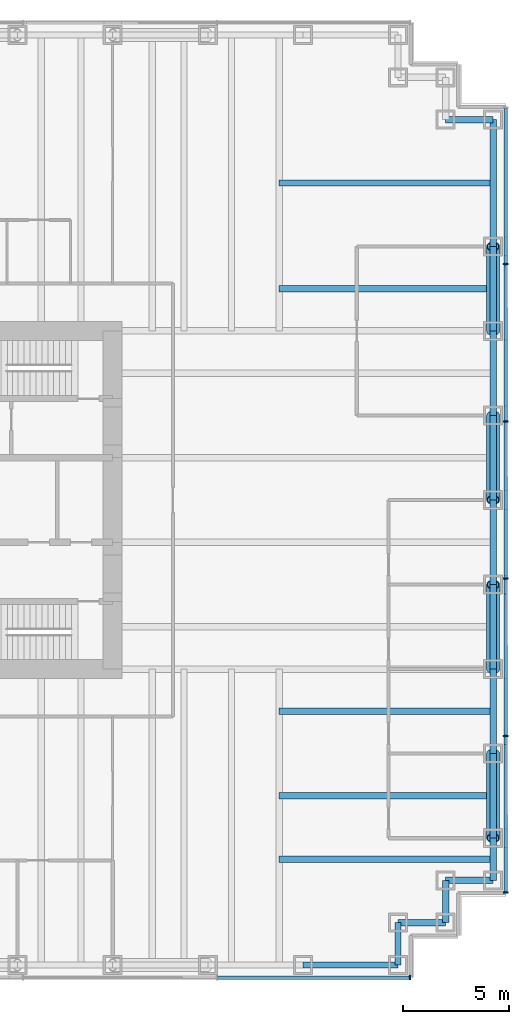
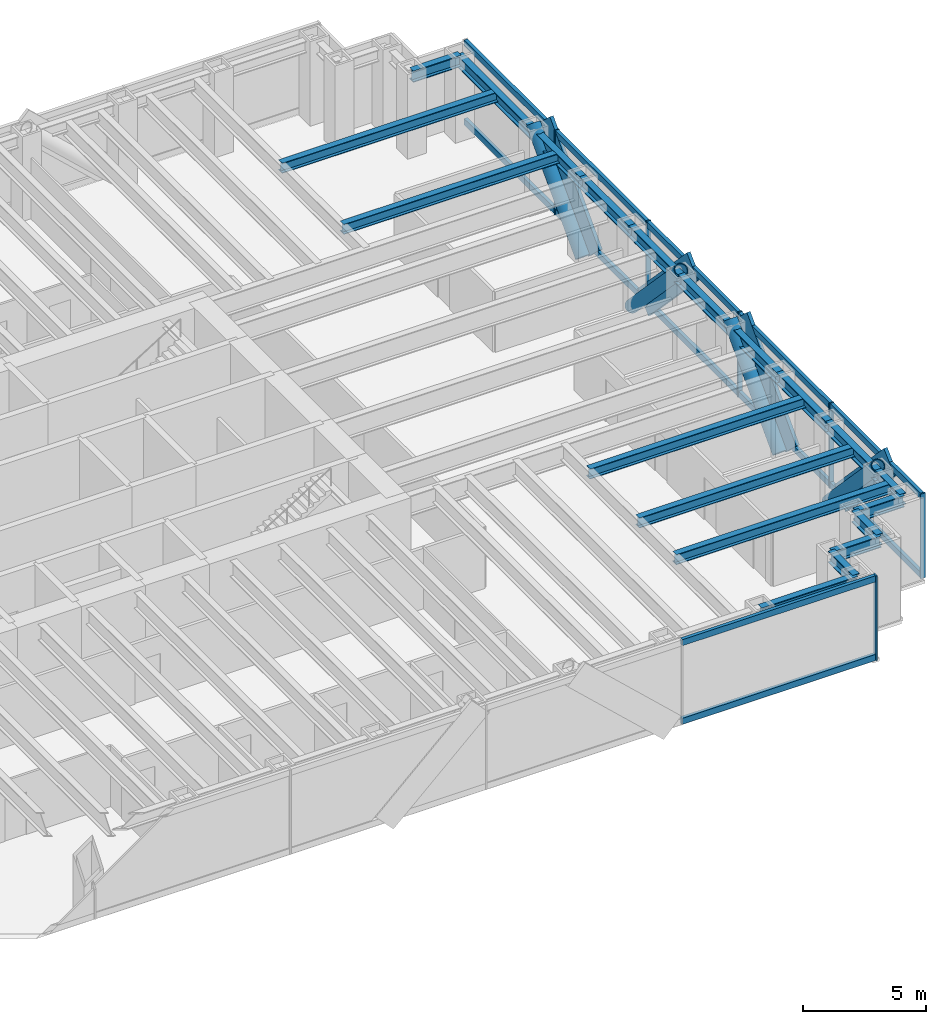
# One storey, part 8 of 15: 26 members, 20 beams, 2 elements without a shape of their own.
"""IFC4 building model written with IfcOpenShell, lengths in metres."""

import ifcopenshell
import ifcopenshell.guid

model = None  # the IFC model being written
_history = None  # IfcOwnerHistory: only IFC2X3 demands one
_inside = {}  # id of a spatial element -> (the spatial element, [elements in it])
_under = {}  # id of a project, library or spatial element -> (it, [spatial elements below it])
_declared = {}  # id of a project -> (the project, [libraries it declares])
_typed = {}  # id of a type object -> (the type object, [elements of that type])
_made_of = {}  # id of a material, layer set ... -> (it, [elements and type objects made of it])


def new_model(schema):
    """Start an empty IFC model of exactly this schema.

    Asked for "IFC4X3", IfcOpenShell would pick the latest addendum, in which some entities
    have other attributes; the version numbers below select the first issue.
    IFC2X3 requires an IfcOwnerHistory on every rooted entity: one is made here for all.
    """
    global model, _history
    if schema == "IFC4X3":
        model = ifcopenshell.file(schema_version=(4, 3, 0, 0))
    else:
        model = ifcopenshell.file(schema=schema)
    _inside.clear()
    _under.clear()
    _declared.clear()
    _typed.clear()
    _made_of.clear()
    _history = None
    if model.schema == "IFC2X3":
        org = make("IfcOrganization", Name="unknown")
        user = make(
            "IfcPersonAndOrganization",
            ThePerson=make("IfcPerson", FamilyName="unknown"),
            TheOrganization=org,
        )
        app = make(
            "IfcApplication",
            ApplicationDeveloper=org,
            Version="unknown",
            ApplicationFullName="unknown",
            ApplicationIdentifier="unknown",
        )
        _history = make(
            "IfcOwnerHistory",
            OwningUser=user,
            OwningApplication=app,
            ChangeAction="ADDED",
            CreationDate=0,
        )
    return model


def make(cls, **values):
    """One entity of the class cls with the attributes given. An attribute that is None is left unset."""
    return model.create_entity(
        cls, **{name: value for name, value in values.items() if value is not None}
    )


def rooted(cls, **values):
    """An entity with a GlobalId (a new one), such as an element, a storey or a relation."""
    return make(cls, GlobalId=ifcopenshell.guid.new(), OwnerHistory=_history, **values)


def si_unit(unit_type, name, prefix=None):
    """IfcSIUnit, for example si_unit("LENGTHUNIT", "METRE", prefix="MILLI")."""
    return make("IfcSIUnit", UnitType=unit_type, Prefix=prefix, Name=name)


def assignment(units):
    """IfcUnitAssignment: the units of a project."""
    return None if units is None else make("IfcUnitAssignment", Units=units)


def point(xyz):
    """IfcCartesianPoint."""
    return None if xyz is None else make("IfcCartesianPoint", Coordinates=xyz)


def direction(xyz):
    """IfcDirection."""
    return None if xyz is None else make("IfcDirection", DirectionRatios=xyz)


def frame(location, z_axis=None, x_axis=None):
    """IfcAxis2Placement3D, a coordinate frame: its origin and axes. An axis left out is left unset."""
    return make(
        "IfcAxis2Placement3D",
        Location=point(location),
        Axis=direction(z_axis),
        RefDirection=direction(x_axis),
    )


def frame_2d(location, x_axis=None):
    """IfcAxis2Placement2D, a coordinate frame in the plane: its origin and x axis."""
    return make(
        "IfcAxis2Placement2D", Location=point(location), RefDirection=direction(x_axis)
    )


def origin():
    """The frame at (0, 0, 0) with its axes left unset."""
    return frame((0.0, 0.0, 0.0))


def origin_2d():
    """The frame at (0, 0) in the plane with its x axis left unset."""
    return frame_2d((0.0, 0.0))


def place(relative_to, where):
    """IfcLocalPlacement: puts the frame where relative to a parent placement (None: the world)."""
    return make(
        "IfcLocalPlacement", PlacementRelTo=relative_to, RelativePlacement=where
    )


def context(
    kind, dimensions, precision=None, world=None, true_north=None, identifier=None
):
    """IfcGeometricRepresentationContext, for example the 3D "Model" context."""
    return make(
        "IfcGeometricRepresentationContext",
        ContextIdentifier=identifier,
        ContextType=kind,
        CoordinateSpaceDimension=dimensions,
        Precision=precision,
        WorldCoordinateSystem=world,
        TrueNorth=true_north,
    )


def subcontext(parent, identifier, kind, view, scale=None):
    """IfcGeometricRepresentationSubContext, for example "Body" below "Model"."""
    return make(
        "IfcGeometricRepresentationSubContext",
        ContextIdentifier=identifier,
        ContextType=kind,
        ParentContext=parent,
        TargetScale=scale,
        TargetView=view,
    )


def project(units=None, contexts=None):
    """IfcProject with its units and contexts."""
    return rooted(
        "IfcProject",
        Name="project",
        RepresentationContexts=contexts,
        UnitsInContext=assignment(units),
    )


def spatial(cls, under=None, at=None, **own):
    """A site, building, storey or space (cls), placed at a placement, below another one or the project."""
    s = rooted(cls, ObjectPlacement=at, **own)
    if under is not None:
        _under.setdefault(under.id(), (under, []))[1].append(s)
    return s


def profile(cls, at=None, kind="AREA", **sizes):
    """A parametric profile (cls). Its sizes go by their IFC names, for example OverallWidth=200.0."""
    return make(cls, ProfileType=kind, Position=at, **sizes)


def rectangle(**sizes):
    """IfcRectangleProfileDef."""
    return profile("IfcRectangleProfileDef", **sizes)


def hollow_circle(**sizes):
    """IfcCircleHollowProfileDef."""
    return profile("IfcCircleHollowProfileDef", **sizes)


def i_section(**sizes):
    """IfcIShapeProfileDef."""
    return profile("IfcIShapeProfileDef", **sizes)


def extrude(swept, where, along, depth):
    """IfcExtrudedAreaSolid: the profile swept, set in the frame where, extruded along a direction by depth."""
    return make(
        "IfcExtrudedAreaSolid",
        SweptArea=swept,
        Position=where,
        ExtrudedDirection=direction(along),
        Depth=depth,
    )


def shape(context_of_items, identifier, shape_type, items):
    """IfcShapeRepresentation: the items that make up one representation, for example the "Body"."""
    return make(
        "IfcShapeRepresentation",
        ContextOfItems=context_of_items,
        RepresentationIdentifier=identifier,
        RepresentationType=shape_type,
        Items=items,
    )


def material(Name=None, Category=None):
    """IfcMaterial."""
    return make("IfcMaterial", Name=Name, Category=Category)


def material_profile(
    of_material, cross_section, Name=None, Category=None, Priority=None
):
    """IfcMaterialProfile: a cross section and its material."""
    return make(
        "IfcMaterialProfile",
        Name=Name,
        Material=of_material,
        Profile=cross_section,
        Priority=Priority,
        Category=Category,
    )


def profile_set(profiles, Name=None, composite=None):
    """IfcMaterialProfileSet."""
    return make(
        "IfcMaterialProfileSet",
        Name=Name,
        MaterialProfiles=profiles,
        CompositeProfile=composite,
    )


def made_of(thing, what):
    """Note that an element or type object is made of a material, layer set ...; save() writes the relation."""
    if what is not None:
        _made_of.setdefault(what.id(), (what, []))[1].append(thing)
    return thing


def type_object(cls, material=None, **own):
    """A type object (cls), such as IfcWallType, which elements share."""
    return made_of(rooted(cls, **own), material)


def element(
    cls,
    number,
    at=None,
    inside=None,
    cuts=None,
    type_object=None,
    material=None,
    context=None,
    identifier="Body",
    shape_type=None,
    held_by="IfcProductDefinitionShape",
    body=None,
    shapes=None,
    **own,
):
    """One element of the class cls, such as IfcWall. Its Tag is "e" and its number.

    at: its placement. inside: the storey or other place that contains it. cuts: it is an
    opening in that element (IfcRelVoidsElement). A single representation is given by context,
    identifier, shape_type and body (its items); several are given by shapes. held_by: the class
    of the entity that holds the representations. save() writes the other relations.
    """
    e = rooted(cls, Tag="e%d" % number, ObjectPlacement=at, **own)
    if body is not None:
        shapes = [shape(context, identifier, shape_type, body)]
    if shapes is not None:
        e.Representation = make(held_by, Representations=shapes)
    if inside is not None:
        _inside.setdefault(inside.id(), (inside, []))[1].append(e)
    if cuts is not None:
        rooted(
            "IfcRelVoidsElement", RelatingBuildingElement=cuts, RelatedOpeningElement=e
        )
    if type_object is not None:
        _typed.setdefault(type_object.id(), (type_object, []))[1].append(e)
    return made_of(e, material)


def aggregate(whole, parts):
    """IfcRelAggregates: a whole, such as a stair, and the parts it consists of."""
    return rooted("IfcRelAggregates", RelatingObject=whole, RelatedObjects=parts)


def save(model, path):
    """Write the relations noted so far, then the file.

    IfcRelAggregates (storeys below a building ...), IfcRelContainedInSpatialStructure (elements
    in a storey), IfcRelDefinesByType, IfcRelAssociatesMaterial and IfcRelDeclares: one each for
    every whole, place, type object, material and project.
    """
    for whole, parts in _under.values():
        aggregate(whole, parts)
    for where, things in _inside.values():
        rooted(
            "IfcRelContainedInSpatialStructure",
            RelatedElements=things,
            RelatingStructure=where,
        )
    for kind, things in _typed.values():
        rooted("IfcRelDefinesByType", RelatedObjects=things, RelatingType=kind)
    for what, things in _made_of.values():
        rooted("IfcRelAssociatesMaterial", RelatedObjects=things, RelatingMaterial=what)
    for by, libraries in _declared.values():
        rooted("IfcRelDeclares", RelatingContext=by, RelatedDefinitions=libraries)
    model.write(path)


model = new_model("IFC4")

# Units and contexts
model_context = context("Model", 3, precision=1e-05, world=origin(), true_north=direction((0.0, 1.0)))
body_context = subcontext(model_context, "Body", "Model", "MODEL_VIEW")
ifc_project = project(units=[si_unit("LENGTHUNIT", "METRE"), si_unit("AREAUNIT", "SQUARE_METRE"), si_unit("VOLUMEUNIT", "CUBIC_METRE"), si_unit("PLANEANGLEUNIT", "RADIAN"), si_unit("MASSUNIT", "GRAM", prefix="KILO")], contexts=[model_context])

# Site, building, storey
site_placement = place(None, origin())
site = spatial("IfcSite", under=ifc_project, at=site_placement, CompositionType="ELEMENT")
building_placement = place(site_placement, origin())
building = spatial("IfcBuilding", under=site, at=building_placement, Name="Rheinbord Bourse Tower", CompositionType="ELEMENT")
storey_placement = place(building_placement, frame((0.0, 0.0, 134.10009765625)))
storey = spatial("IfcBuildingStorey", under=building, at=storey_placement, Name="L29", CompositionType="ELEMENT", Elevation=134.10009765625)

# Curtain wall, members
ifc_material_1 = material(Name="Dark glass and black aluminium", Category="aluminium")
curtain_wall_type = type_object("IfcCurtainWallType", Name="CW2 DARK GLASS CURTAIN WALL", PredefinedType="USERDEFINED", material=ifc_material_1)
curtain_wall_1_placement = place(storey_placement, origin())
curtain_wall_1 = element("IfcCurtainWall", 1, at=curtain_wall_1_placement, inside=storey, type_object=curtain_wall_type, Name="Curtain wall CW2 E L29", ObjectType="UNITISED CURTAIN WALL", PredefinedType="USERDEFINED")
ifc_material_2 = material(Name="Black anodised aluminium", Category="aluminium")
ifc_material_profile_1 = material_profile(ifc_material_2, rectangle(XDim=0.159912109375, YDim=1.2099609375, at=origin_2d()), Name="CW2 DIAGONAL MULLION 1210x160")
ifc_profile_set_1 = profile_set([ifc_material_profile_1], Name="Black anodised aluminium")
member_type_1 = type_object("IfcMemberType", Name="CW2 BLACK DIAGONAL MULLION", PredefinedType="USERDEFINED", material=ifc_profile_set_1)
member_1_placement = place(storey_placement, frame((72.60009765625, 28.0, 0.0), z_axis=(0.0, -0.689659376744, 0.724133926887), x_axis=(1.0, 0.0, 0.0)))
member_1 = element("IfcMember", 2, at=member_1_placement, type_object=member_type_1, Name="CW2 diagonal mullion a", ObjectType="DIAGONAL MULLION", PredefinedType="USERDEFINED", context=body_context, shape_type="SweptSolid", body=[
    extrude(rectangle(XDim=0.159912109375, YDim=1.2099609375, at=origin_2d()), origin(), (0.0, 0.0, 1.0), 5.800048828125),
])
member_2_placement = place(storey_placement, frame((72.60009765625, 16.0, 0.0), z_axis=(0.0, 0.689659376744, 0.724133926887), x_axis=(-1.0, 0.0, 0.0)))
member_2 = element("IfcMember", 3, at=member_2_placement, type_object=member_type_1, Name="CW2 diagonal mullion b", ObjectType="DIAGONAL MULLION", PredefinedType="USERDEFINED", context=body_context, shape_type="SweptSolid", body=[
    extrude(rectangle(XDim=0.159912109375, YDim=1.2099609375, at=origin_2d()), origin(), (0.0, 0.0, 1.0), 5.800048828125),
])
member_3_placement = place(storey_placement, frame((72.60009765625, 12.0, 0.0), z_axis=(0.0, -0.689659376744, 0.724133926887), x_axis=(1.0, 0.0, 0.0)))
member_3 = element("IfcMember", 4, at=member_3_placement, type_object=member_type_1, Name="CW2 diagonal mullion c", ObjectType="DIAGONAL MULLION", PredefinedType="USERDEFINED", context=body_context, shape_type="SweptSolid", body=[
    extrude(rectangle(XDim=0.159912109375, YDim=1.2099609375, at=origin_2d()), origin(), (0.0, 0.0, 1.0), 5.800048828125),
])
member_4_placement = place(storey_placement, frame((72.60009765625, 32.0, 0.0), z_axis=(0.0, 0.689659376744, 0.724133926887), x_axis=(-1.0, 0.0, 0.0)))
member_4 = element("IfcMember", 5, at=member_4_placement, type_object=member_type_1, Name="CW2 diagonal mullion d", ObjectType="DIAGONAL MULLION", PredefinedType="USERDEFINED", context=body_context, shape_type="SweptSolid", body=[
    extrude(rectangle(XDim=0.159912109375, YDim=1.2099609375, at=origin_2d()), origin(), (0.0, 0.0, 1.0), 5.800048828125),
])

# Curtain wall, member
curtain_wall_2_placement = place(storey_placement, origin())
curtain_wall_2 = element("IfcCurtainWall", 6, at=curtain_wall_2_placement, inside=storey, type_object=curtain_wall_type, Name="Curtain wall CW2 S L29", ObjectType="UNITISED CURTAIN WALL", PredefinedType="USERDEFINED")
ifc_material_3 = material(Name="Black anodised aluminium", Category="aluminium")
ifc_material_profile_2 = material_profile(ifc_material_3, rectangle(XDim=0.219970703125, YDim=0.070068359375, at=origin_2d()), Name="CW2 MULLION 70x220")
ifc_profile_set_2 = profile_set([ifc_material_profile_2], Name="Black anodised aluminium")
member_type_2 = type_object("IfcMemberType", Name="CW2 BLACK MULLION", PredefinedType="MULLION", material=ifc_profile_set_2)
member_5_placement = place(storey_placement, frame((68.06494140625, 1.39990234375, 0.0), z_axis=(0.0, 0.0, 1.0), x_axis=(0.0, 1.0, 0.0)))
member_5 = element("IfcMember", 7, at=member_5_placement, type_object=member_type_2, Name="CW2 mullion 8", PredefinedType="MULLION", context=body_context, shape_type="SweptSolid", body=[
    extrude(rectangle(XDim=0.219970703125, YDim=0.070068359375, at=origin_2d()), origin(), (0.0, 0.0, 1.0), 4.199951171875),
])

# Member
member_6_placement = place(storey_placement, frame((72.60009765625, 5.43505859375, 0.0), z_axis=(0.0, 0.0, 1.0), x_axis=(-1.0, 0.0, 0.0)))
member_6 = element("IfcMember", 8, at=member_6_placement, type_object=member_type_2, Name="CW2 mullion 1", PredefinedType="MULLION", context=body_context, shape_type="SweptSolid", body=[
    extrude(rectangle(XDim=0.219970703125, YDim=0.070068359375, at=origin_2d()), origin(), (0.0, 0.0, 1.0), 4.199951171875),
])

member_7_placement = place(storey_placement, frame((72.60009765625, 12.840087890625, 0.0), z_axis=(0.0, 0.0, 1.0), x_axis=(-1.0, 0.0, 0.0)))
member_7 = element("IfcMember", 9, at=member_7_placement, type_object=member_type_2, Name="CW2 mullion 2", PredefinedType="MULLION", context=body_context, shape_type="SweptSolid", body=[
    extrude(rectangle(XDim=0.219970703125, YDim=0.070068359375, at=origin_2d()), origin(), (0.0, 0.0, 1.0), 4.199951171875),
])

member_8_placement = place(storey_placement, frame((72.60009765625, 20.280029296875, 0.0), z_axis=(0.0, 0.0, 1.0), x_axis=(-1.0, 0.0, 0.0)))
member_8 = element("IfcMember", 10, at=member_8_placement, type_object=member_type_2, Name="CW2 mullion 3", PredefinedType="MULLION", context=body_context, shape_type="SweptSolid", body=[
    extrude(rectangle(XDim=0.219970703125, YDim=0.070068359375, at=origin_2d()), origin(), (0.0, 0.0, 1.0), 4.199951171875),
])

member_9_placement = place(storey_placement, frame((72.60009765625, 27.719970703125, 0.0), z_axis=(0.0, 0.0, 1.0), x_axis=(-1.0, 0.0, 0.0)))
member_9 = element("IfcMember", 11, at=member_9_placement, type_object=member_type_2, Name="CW2 mullion 4", PredefinedType="MULLION", context=body_context, shape_type="SweptSolid", body=[
    extrude(rectangle(XDim=0.219970703125, YDim=0.070068359375, at=origin_2d()), origin(), (0.0, 0.0, 1.0), 4.199951171875),
])

member_10_placement = place(storey_placement, frame((72.60009765625, 35.159912109375, 0.0), z_axis=(0.0, 0.0, 1.0), x_axis=(-1.0, 0.0, 0.0)))
member_10 = element("IfcMember", 12, at=member_10_placement, type_object=member_type_2, Name="CW2 mullion 5", PredefinedType="MULLION", context=body_context, shape_type="SweptSolid", body=[
    extrude(rectangle(XDim=0.219970703125, YDim=0.070068359375, at=origin_2d()), origin(), (0.0, 0.0, 1.0), 4.199951171875),
])

ifc_material_4 = material(Name="Black anodised aluminium", Category="aluminium")
ifc_material_profile_3 = material_profile(ifc_material_4, rectangle(XDim=0.159912109375, YDim=0.300048828125, at=origin_2d()), Name="CW2 TRANSOM 300x160")
ifc_profile_set_3 = profile_set([ifc_material_profile_3], Name="Black anodised aluminium")
member_type_3 = type_object("IfcMemberType", Name="CW2 BLACK TRANSOM", PredefinedType="USERDEFINED", material=ifc_profile_set_3)
member_11_placement = place(storey_placement, frame((58.963623046875, 1.39990234375, 0.14990234375), z_axis=(1.0, 0.0, 0.0), x_axis=(0.0, 1.0, 0.0)))
member_11 = element("IfcMember", 13, at=member_11_placement, type_object=member_type_3, Name="CW2 transom 7.1", ObjectType="TRANSOM", PredefinedType="USERDEFINED", context=body_context, shape_type="SweptSolid", body=[
    extrude(rectangle(XDim=0.159912109375, YDim=0.300048828125, at=origin_2d()), origin(), (0.0, 0.0, 1.0), 9.06640625),
])

member_12_placement = place(storey_placement, frame((58.963623046875, 1.39990234375, 4.0498046875), z_axis=(1.0, 0.0, 0.0), x_axis=(0.0, 1.0, 0.0)))
member_12 = element("IfcMember", 14, at=member_12_placement, type_object=member_type_3, Name="CW2 transom 7.2", ObjectType="TRANSOM", PredefinedType="USERDEFINED", context=body_context, shape_type="SweptSolid", body=[
    extrude(rectangle(XDim=0.159912109375, YDim=0.300048828125, at=origin_2d()), origin(), (0.0, 0.0, 1.0), 9.06640625),
])

aggregate(curtain_wall_2, [member_5, member_11, member_12])

member_13_placement = place(storey_placement, frame((72.60009765625, 5.469970703125, 0.14990234375), z_axis=(0.0, 1.0, 0.0), x_axis=(-1.0, 0.0, 0.0)))
member_13 = element("IfcMember", 15, at=member_13_placement, type_object=member_type_3, Name="CW2 transom 1.1", ObjectType="TRANSOM", PredefinedType="USERDEFINED", context=body_context, shape_type="SweptSolid", body=[
    extrude(rectangle(XDim=0.159912109375, YDim=0.300048828125, at=origin_2d()), origin(), (0.0, 0.0, 1.0), 7.3349609375),
])

member_14_placement = place(storey_placement, frame((72.60009765625, 5.469970703125, 4.0498046875), z_axis=(0.0, 1.0, 0.0), x_axis=(-1.0, 0.0, 0.0)))
member_14 = element("IfcMember", 16, at=member_14_placement, type_object=member_type_3, Name="CW2 transom 1.2", ObjectType="TRANSOM", PredefinedType="USERDEFINED", context=body_context, shape_type="SweptSolid", body=[
    extrude(rectangle(XDim=0.159912109375, YDim=0.300048828125, at=origin_2d()), origin(), (0.0, 0.0, 1.0), 7.3349609375),
])

member_15_placement = place(storey_placement, frame((72.60009765625, 12.875, 0.14990234375), z_axis=(0.0, 1.0, 0.0), x_axis=(-1.0, 0.0, 0.0)))
member_15 = element("IfcMember", 17, at=member_15_placement, type_object=member_type_3, Name="CW2 transom 2.1", ObjectType="TRANSOM", PredefinedType="USERDEFINED", context=body_context, shape_type="SweptSolid", body=[
    extrude(rectangle(XDim=0.159912109375, YDim=0.300048828125, at=origin_2d()), origin(), (0.0, 0.0, 1.0), 7.3701171875),
])

member_16_placement = place(storey_placement, frame((72.60009765625, 12.875, 4.0498046875), z_axis=(0.0, 1.0, 0.0), x_axis=(-1.0, 0.0, 0.0)))
member_16 = element("IfcMember", 18, at=member_16_placement, type_object=member_type_3, Name="CW2 transom 2.2", ObjectType="TRANSOM", PredefinedType="USERDEFINED", context=body_context, shape_type="SweptSolid", body=[
    extrude(rectangle(XDim=0.159912109375, YDim=0.300048828125, at=origin_2d()), origin(), (0.0, 0.0, 1.0), 7.3701171875),
])

member_17_placement = place(storey_placement, frame((72.60009765625, 20.31494140625, 0.14990234375), z_axis=(0.0, 1.0, 0.0), x_axis=(-1.0, 0.0, 0.0)))
member_17 = element("IfcMember", 19, at=member_17_placement, type_object=member_type_3, Name="CW2 transom 3.1", ObjectType="TRANSOM", PredefinedType="USERDEFINED", context=body_context, shape_type="SweptSolid", body=[
    extrude(rectangle(XDim=0.159912109375, YDim=0.300048828125, at=origin_2d()), origin(), (0.0, 0.0, 1.0), 7.3701171875),
])

member_18_placement = place(storey_placement, frame((72.60009765625, 20.31494140625, 4.0498046875), z_axis=(0.0, 1.0, 0.0), x_axis=(-1.0, 0.0, 0.0)))
member_18 = element("IfcMember", 20, at=member_18_placement, type_object=member_type_3, Name="CW2 transom 3.2", ObjectType="TRANSOM", PredefinedType="USERDEFINED", context=body_context, shape_type="SweptSolid", body=[
    extrude(rectangle(XDim=0.159912109375, YDim=0.300048828125, at=origin_2d()), origin(), (0.0, 0.0, 1.0), 7.3701171875),
])

member_19_placement = place(storey_placement, frame((72.60009765625, 27.7548828125, 0.14990234375), z_axis=(0.0, 1.0, 0.0), x_axis=(-1.0, 0.0, 0.0)))
member_19 = element("IfcMember", 21, at=member_19_placement, type_object=member_type_3, Name="CW2 transom 4.1", ObjectType="TRANSOM", PredefinedType="USERDEFINED", context=body_context, shape_type="SweptSolid", body=[
    extrude(rectangle(XDim=0.159912109375, YDim=0.300048828125, at=origin_2d()), origin(), (0.0, 0.0, 1.0), 7.3701171875),
])

member_20_placement = place(storey_placement, frame((72.60009765625, 27.7548828125, 4.0498046875), z_axis=(0.0, 1.0, 0.0), x_axis=(-1.0, 0.0, 0.0)))
member_20 = element("IfcMember", 22, at=member_20_placement, type_object=member_type_3, Name="CW2 transom 4.2", ObjectType="TRANSOM", PredefinedType="USERDEFINED", context=body_context, shape_type="SweptSolid", body=[
    extrude(rectangle(XDim=0.159912109375, YDim=0.300048828125, at=origin_2d()), origin(), (0.0, 0.0, 1.0), 7.3701171875),
])

member_21_placement = place(storey_placement, frame((72.60009765625, 35.195068359375, 0.14990234375), z_axis=(0.0, 1.0, 0.0), x_axis=(-1.0, 0.0, 0.0)))
member_21 = element("IfcMember", 23, at=member_21_placement, type_object=member_type_3, Name="CW2 transom 5.1", ObjectType="TRANSOM", PredefinedType="USERDEFINED", context=body_context, shape_type="SweptSolid", body=[
    extrude(rectangle(XDim=0.159912109375, YDim=0.300048828125, at=origin_2d()), origin(), (0.0, 0.0, 1.0), 7.3349609375),
])

member_22_placement = place(storey_placement, frame((72.60009765625, 35.195068359375, 4.0498046875), z_axis=(0.0, 1.0, 0.0), x_axis=(-1.0, 0.0, 0.0)))
member_22 = element("IfcMember", 24, at=member_22_placement, type_object=member_type_3, Name="CW2 transom 5.2", ObjectType="TRANSOM", PredefinedType="USERDEFINED", context=body_context, shape_type="SweptSolid", body=[
    extrude(rectangle(XDim=0.159912109375, YDim=0.300048828125, at=origin_2d()), origin(), (0.0, 0.0, 1.0), 7.3349609375),
])

aggregate(curtain_wall_1, [member_6, member_7, member_8, member_9, member_10, member_13, member_14, member_15, member_16, member_17, member_18, member_19, member_20, member_21, member_22, member_1, member_2, member_3, member_4])

# Members
ifc_material_5 = material(Name="Steel S460", Category="steel")
ifc_material_profile_4 = material_profile(ifc_material_5, hollow_circle(Radius=0.304931640625, WallThickness=0.0400390625, at=origin_2d()), Name="CHS 610x40")
ifc_profile_set_4 = profile_set([ifc_material_profile_4], Name="Steel S460")
member_type_4 = type_object("IfcMemberType", Name="MEGABRACE CHS 610x40", PredefinedType="BRACE", material=ifc_profile_set_4)
for number, where, z_axis, x_axis, name in (
    (25, (72.0, 28.0, 0.0), (0.0, -0.689659376744, 0.724133926887), (1.0, 0.0, 0.0), "Megabrace E face line a L29"),
    (26, (72.0, 16.0, 0.0), (0.0, 0.689659376744, 0.724133926887), (-1.0, 0.0, 0.0), "Megabrace E face line b L29"),
    (27, (72.0, 12.0, 0.0), (0.0, -0.689659376744, 0.724133926887), (1.0, 0.0, 0.0), "Megabrace E face line c L29"),
    (28, (72.0, 32.0, 0.0), (0.0, 0.689659376744, 0.724133926887), (-1.0, 0.0, 0.0), "Megabrace E face line d L29"),
):
    element("IfcMember", number, at=place(storey_placement, frame(where, z_axis=z_axis, x_axis=x_axis)), inside=storey, type_object=member_type_4, Name=name, PredefinedType="BRACE", context=body_context, shape_type="SweptSolid", body=[
        extrude(hollow_circle(Radius=0.304931640625, WallThickness=0.0400390625, at=origin_2d()), origin(), (0.0, 0.0, 1.0), 5.800048828125),
    ])

# Beams
ifc_material_6 = material(Name="Steel S460", Category="steel")
ifc_material_profile_5 = material_profile(ifc_material_6, i_section(OverallWidth=0.305908203125, OverallDepth=0.572021484375, WebThickness=0.02099609375, FlangeThickness=0.0400390625, at=origin_2d()), Name="HEM 550")
ifc_profile_set_5 = profile_set([ifc_material_profile_5], Name="Steel S460")
beam_type_1 = type_object("IfcBeamType", Name="SPANDREL HEM 550", PredefinedType="SPANDREL", material=ifc_profile_set_5)
beam_1_placement = place(storey_placement, frame((63.0, 2.0, 3.75390625), z_axis=(1.0, 0.0, 0.0), x_axis=(0.0, 1.0, 0.0)))
element("IfcBeam", 29, at=beam_1_placement, inside=storey, type_object=beam_type_1, Name="Spandrel S-63-SE-E under L30", PredefinedType="SPANDREL", context=body_context, shape_type="SweptSolid", body=[
    extrude(i_section(OverallWidth=0.305908203125, OverallDepth=0.572021484375, WebThickness=0.02099609375, FlangeThickness=0.0400390625, at=origin_2d()), origin(), (0.0, 0.0, 1.0), 4.5),
])
beam_2_placement = place(storey_placement, frame((67.5, 2.0, 3.75390625), z_axis=(0.0, 1.0, 0.0), x_axis=(-1.0, 0.0, 0.0)))
element("IfcBeam", 30, at=beam_2_placement, inside=storey, type_object=beam_type_1, Name="Spandrel SE-E-SE-D under L30", PredefinedType="SPANDREL", context=body_context, shape_type="SweptSolid", body=[
    extrude(i_section(OverallWidth=0.305908203125, OverallDepth=0.572021484375, WebThickness=0.02099609375, FlangeThickness=0.0400390625, at=origin_2d()), origin(), (0.0, 0.0, 1.0), 2.0),
])
beam_3_placement = place(storey_placement, frame((67.5, 4.0, 3.75390625), z_axis=(1.0, 0.0, 0.0), x_axis=(0.0, 1.0, 0.0)))
element("IfcBeam", 31, at=beam_3_placement, inside=storey, type_object=beam_type_1, Name="Spandrel SE-D-SE-C under L30", PredefinedType="SPANDREL", context=body_context, shape_type="SweptSolid", body=[
    extrude(i_section(OverallWidth=0.305908203125, OverallDepth=0.572021484375, WebThickness=0.02099609375, FlangeThickness=0.0400390625, at=origin_2d()), origin(), (0.0, 0.0, 1.0), 2.25),
])
beam_4_placement = place(storey_placement, frame((69.75, 4.0, 3.75390625), z_axis=(0.0, 1.0, 0.0), x_axis=(-1.0, 0.0, 0.0)))
element("IfcBeam", 32, at=beam_4_placement, inside=storey, type_object=beam_type_1, Name="Spandrel SE-C-SE-B under L30", PredefinedType="SPANDREL", context=body_context, shape_type="SweptSolid", body=[
    extrude(i_section(OverallWidth=0.305908203125, OverallDepth=0.572021484375, WebThickness=0.02099609375, FlangeThickness=0.0400390625, at=origin_2d()), origin(), (0.0, 0.0, 1.0), 2.0),
])
beam_5_placement = place(storey_placement, frame((69.75, 6.0, 3.75390625), z_axis=(1.0, 0.0, 0.0), x_axis=(0.0, 1.0, 0.0)))
element("IfcBeam", 33, at=beam_5_placement, inside=storey, type_object=beam_type_1, Name="Spandrel SE-B-SE-A under L30", PredefinedType="SPANDREL", context=body_context, shape_type="SweptSolid", body=[
    extrude(i_section(OverallWidth=0.305908203125, OverallDepth=0.572021484375, WebThickness=0.02099609375, FlangeThickness=0.0400390625, at=origin_2d()), origin(), (0.0, 0.0, 1.0), 2.25),
])
beam_6_placement = place(storey_placement, frame((72.0, 6.0, 3.75390625), z_axis=(0.0, 1.0, 0.0), x_axis=(-1.0, 0.0, 0.0)))
element("IfcBeam", 34, at=beam_6_placement, inside=storey, type_object=beam_type_1, Name="Spandrel SE-A-E-8 under L30", PredefinedType="SPANDREL", context=body_context, shape_type="SweptSolid", body=[
    extrude(i_section(OverallWidth=0.305908203125, OverallDepth=0.572021484375, WebThickness=0.02099609375, FlangeThickness=0.0400390625, at=origin_2d()), origin(), (0.0, 0.0, 1.0), 2.0),
])
for number, where, z_axis, x_axis, name in (
    (35, (72.0, 8.0, 3.75390625), (0.0, 1.0, 0.0), (-1.0, 0.0, 0.0), "Spandrel E-8-E-12 under L30"),
    (36, (72.0, 12.0, 3.75390625), (0.0, 1.0, 0.0), (-1.0, 0.0, 0.0), "Spandrel E-12-E-16 under L30"),
    (37, (72.0, 16.0, 3.75390625), (0.0, 1.0, 0.0), (-1.0, 0.0, 0.0), "Spandrel E-16-E-20 under L30"),
    (38, (72.0, 20.0, 3.75390625), (0.0, 1.0, 0.0), (-1.0, 0.0, 0.0), "Spandrel E-20-E-24 under L30"),
    (39, (72.0, 24.0, 3.75390625), (0.0, 1.0, 0.0), (-1.0, 0.0, 0.0), "Spandrel E-24-E-28 under L30"),
    (40, (72.0, 28.0, 3.75390625), (0.0, 1.0, 0.0), (-1.0, 0.0, 0.0), "Spandrel E-28-E-32 under L30"),
    (41, (72.0, 32.0, 3.75390625), (0.0, 1.0, 0.0), (-1.0, 0.0, 0.0), "Spandrel E-32-E-36 under L30"),
):
    element("IfcBeam", number, at=place(storey_placement, frame(where, z_axis=z_axis, x_axis=x_axis)), inside=storey, type_object=beam_type_1, Name=name, PredefinedType="SPANDREL", context=body_context, shape_type="SweptSolid", body=[
        extrude(i_section(OverallWidth=0.305908203125, OverallDepth=0.572021484375, WebThickness=0.02099609375, FlangeThickness=0.0400390625, at=origin_2d()), origin(), (0.0, 0.0, 1.0), 4.0),
    ])
beam_7_placement = place(storey_placement, frame((72.0, 36.0, 3.75390625), z_axis=(0.0, 1.0, 0.0), x_axis=(-1.0, 0.0, 0.0)))
element("IfcBeam", 42, at=beam_7_placement, inside=storey, type_object=beam_type_1, Name="Spandrel E-36-NE-A under L30", PredefinedType="SPANDREL", context=body_context, shape_type="SweptSolid", body=[
    extrude(i_section(OverallWidth=0.305908203125, OverallDepth=0.572021484375, WebThickness=0.02099609375, FlangeThickness=0.0400390625, at=origin_2d()), origin(), (0.0, 0.0, 1.0), 6.0),
])
beam_8_placement = place(storey_placement, frame((72.0, 42.0, 3.75390625), z_axis=(-1.0, 0.0, 0.0), x_axis=(0.0, -1.0, 0.0)))
element("IfcBeam", 43, at=beam_8_placement, inside=storey, type_object=beam_type_1, Name="Spandrel NE-A-NE-B under L30", PredefinedType="SPANDREL", context=body_context, shape_type="SweptSolid", body=[
    extrude(i_section(OverallWidth=0.305908203125, OverallDepth=0.572021484375, WebThickness=0.02099609375, FlangeThickness=0.0400390625, at=origin_2d()), origin(), (0.0, 0.0, 1.0), 2.25),
])
ifc_material_7 = material(Name="Steel S460", Category="steel")
ifc_material_profile_6 = material_profile(ifc_material_7, i_section(OverallWidth=0.300048828125, OverallDepth=0.5, WebThickness=0.014404296875, FlangeThickness=0.028076171875, at=origin_2d()), Name="HEB 500")
ifc_profile_set_6 = profile_set([ifc_material_profile_6], Name="Steel S460")
beam_type_2 = type_object("IfcBeamType", Name="TIE BEAM HEB 500", PredefinedType="JOIST", material=ifc_profile_set_6)
for number, where, z_axis, x_axis, name in (
    (44, (61.875, 7.0, 3.789794921875), (1.0, 0.0, 0.0), (0.0, 1.0, 0.0), "Tie east 7 L30"),
    (45, (61.875, 10.0, 3.789794921875), (1.0, 0.0, 0.0), (0.0, 1.0, 0.0), "Tie east 10 L30"),
    (46, (61.875, 14.0, 3.789794921875), (1.0, 0.0, 0.0), (0.0, 1.0, 0.0), "Tie east 14 L30"),
    (47, (61.875, 34.0, 3.789794921875), (1.0, 0.0, 0.0), (0.0, 1.0, 0.0), "Tie east 34 L30"),
    (48, (61.875, 39.0, 3.789794921875), (1.0, 0.0, 0.0), (0.0, 1.0, 0.0), "Tie east 39 L30"),
):
    element("IfcBeam", number, at=place(storey_placement, frame(where, z_axis=z_axis, x_axis=x_axis)), inside=storey, type_object=beam_type_2, Name=name, PredefinedType="JOIST", context=body_context, shape_type="SweptSolid", body=[
        extrude(i_section(OverallWidth=0.300048828125, OverallDepth=0.5, WebThickness=0.014404296875, FlangeThickness=0.028076171875, at=origin_2d()), origin(), (0.0, 0.0, 1.0), 10.125),
    ])

save(model, "model.ifc")
